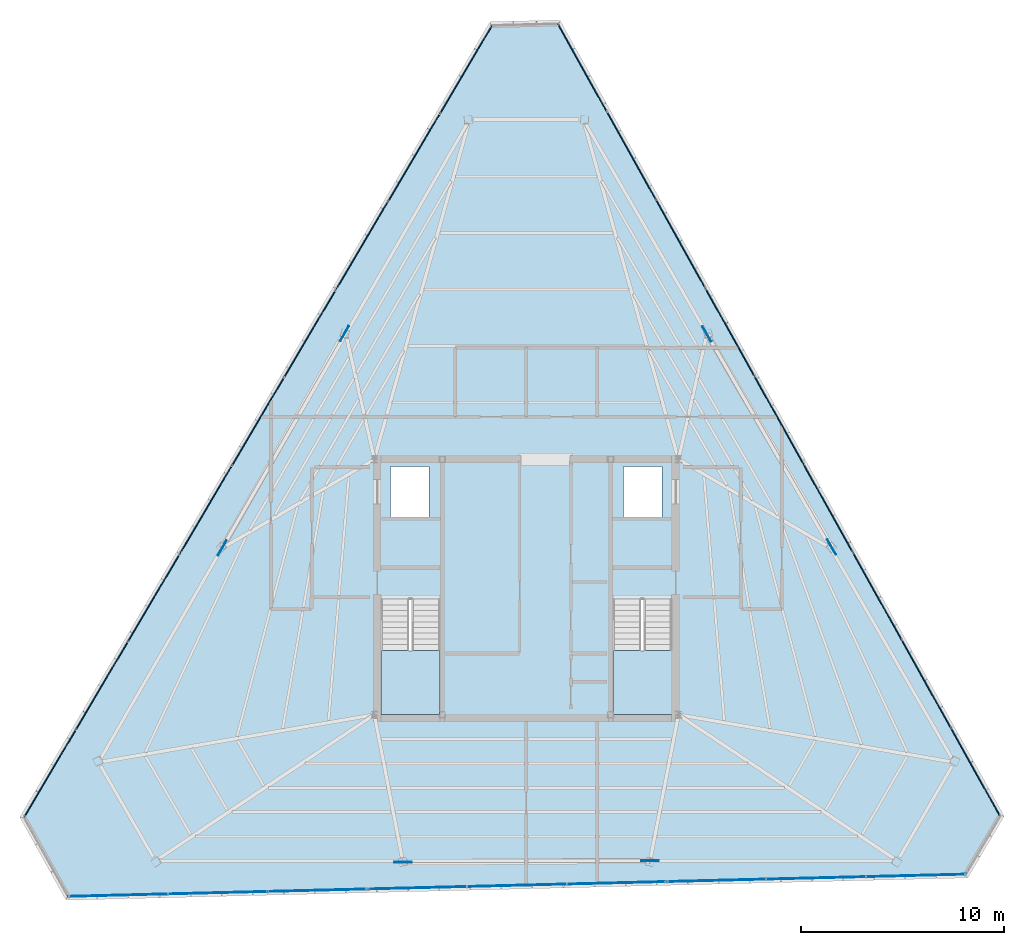
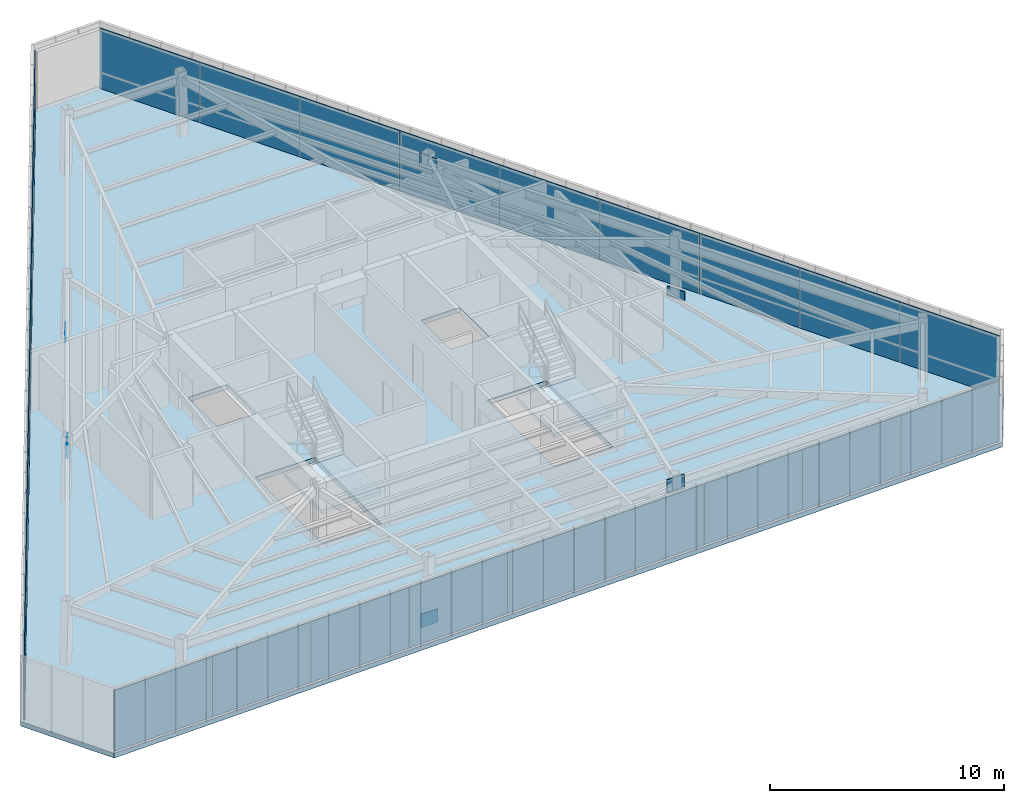
# One storey, part 38 of 44: 33 plates, 3 slabs, 11 elements without a shape of their own.
"""IFC4 building model written with IfcOpenShell, lengths in metres."""

from ifc_helpers import new_model, si_unit, direction, frame, origin, origin_2d, place, context, subcontext, project, spatial, polyline, rectangle, outline, extrude, source, transform, mapped, material, layer, layer_set, type_object, type_shapes, element, aggregate, save


model = new_model("IFC4")

# Units and contexts
model_context = context("Model", 3, precision=1e-05, world=origin(), true_north=direction((0.0, 1.0)))
body_context = subcontext(model_context, "Body", "Model", "MODEL_VIEW")
ifc_project = project(units=[si_unit("LENGTHUNIT", "METRE"), si_unit("AREAUNIT", "SQUARE_METRE"), si_unit("VOLUMEUNIT", "CUBIC_METRE"), si_unit("PLANEANGLEUNIT", "RADIAN"), si_unit("MASSUNIT", "GRAM", prefix="KILO")], contexts=[model_context])

# Site, building, storey
site_placement = place(None, origin())
site = spatial("IfcSite", under=ifc_project, at=site_placement, CompositionType="ELEMENT")
building_placement = place(site_placement, origin())
building = spatial("IfcBuilding", under=site, at=building_placement, Name="Caelisora Broadcast Tower", CompositionType="ELEMENT")
storey_placement = place(building_placement, frame((0.0, 0.0, 296.60009765625)))
storey = spatial("IfcBuildingStorey", under=building, at=storey_placement, Name="L78", CompositionType="ELEMENT", Elevation=296.60009765625)

# Slab
ifc_material_1 = material(Name="Concrete 45 MPa (AS 3600 S45)", Category="concrete")
ifc_layer_1 = layer(ifc_material_1, 0.25, Name="Concrete 45 MPa (AS 3600 S45)")
ifc_layer_set_1 = layer_set([ifc_layer_1], Name="Concrete 45 MPa (AS 3600 S45)")
slab_type_1 = type_object("IfcSlabType", Name="SL05", PredefinedType="FLOOR", material=ifc_layer_set_1)
slab_1_placement = place(storey_placement, frame((0.0, 0.0, -0.25)))
element("IfcSlab", 1, at=slab_1_placement, inside=storey, type_object=slab_type_1, Name="L78 suspended floor SL05", PredefinedType="FLOOR", context=body_context, shape_type="SweptSolid", body=[
    extrude(outline(polyline([(39.635986328125, 51.637939453125), (36.217041015625, 51.552978515625), (13.0419921875, 12.342041015625), (15.306884765625, 8.281982421875), (59.756103515625, 9.381103515625), (61.5390625, 12.39697265625), (39.635986328125, 51.637939453125)]), holes=[polyline([(30.820068359375, 17.39990234375), (33.739990234375, 17.39990234375), (33.739990234375, 23.080078125), (30.820068359375, 23.080078125), (30.820068359375, 17.39990234375)]), polyline([(42.260009765625, 17.39990234375), (45.179931640625, 17.39990234375), (45.179931640625, 23.080078125), (42.260009765625, 23.080078125), (42.260009765625, 17.39990234375)]), polyline([(42.800048828125, 27.14990234375), (44.699951171875, 27.14990234375), (44.699951171875, 29.64990234375), (42.800048828125, 29.64990234375), (42.800048828125, 27.14990234375)]), polyline([(31.300048828125, 27.14990234375), (33.199951171875, 27.14990234375), (33.199951171875, 29.64990234375), (31.300048828125, 29.64990234375), (31.300048828125, 27.14990234375)])]), origin(), (0.0, 0.0, 1.0), 0.25),
])

# Stair, slab
ifc_material_2 = material(Name="Concrete 40 MPa (AS 3600 N40)", Category="concrete")
stair_type_1 = type_object("IfcStairType", Name="ST-1", PredefinedType="HALF_TURN_STAIR", material=ifc_material_2)
stair_1_placement = place(storey_placement, origin())
stair_1 = element("IfcStair", 2, at=stair_1_placement, inside=storey, type_object=stair_type_1, Name="L78 West Fire-Isolated Tower Stair", PredefinedType="HALF_TURN_STAIR")
ifc_layer_2 = layer(ifc_material_2, 0.199951171875, Name="Concrete 40 MPa (AS 3600 N40)")
ifc_layer_set_2 = layer_set([ifc_layer_2], Name="Concrete 40 MPa (AS 3600 N40)")
slab_type_2 = type_object("IfcSlabType", Name="STL-1", PredefinedType="LANDING", material=ifc_layer_set_2)
slab_2_placement = place(storey_placement, frame((0.0, 0.0, 1.5)))
slab_2 = element("IfcSlab", 3, at=slab_2_placement, type_object=slab_type_2, Name="ST-1 landing 1", PredefinedType="LANDING", context=body_context, shape_type="SweptSolid", body=[
    extrude(outline(polyline([(30.820068359375, 20.580078125), (30.820068359375, 17.39990234375), (33.739990234375, 17.39990234375), (33.739990234375, 20.580078125), (30.820068359375, 20.580078125)])), origin(), (0.0, 0.0, 1.0), 0.199951171875),
])
aggregate(stair_1, [slab_2])

stair_type_2 = type_object("IfcStairType", Name="ST-2", PredefinedType="HALF_TURN_STAIR", material=ifc_material_2)
stair_2_placement = place(storey_placement, origin())
stair_2 = element("IfcStair", 4, at=stair_2_placement, inside=storey, type_object=stair_type_2, Name="L78 East Fire-Isolated Tower Stair", PredefinedType="HALF_TURN_STAIR")
slab_3_placement = place(storey_placement, frame((0.0, 0.0, 1.5)))
slab_3 = element("IfcSlab", 5, at=slab_3_placement, type_object=slab_type_2, Name="ST-2 landing 1", PredefinedType="LANDING", context=body_context, shape_type="SweptSolid", body=[
    extrude(outline(polyline([(42.260009765625, 20.580078125), (42.260009765625, 17.39990234375), (45.179931640625, 17.39990234375), (45.179931640625, 20.580078125), (42.260009765625, 20.580078125)])), origin(), (0.0, 0.0, 1.0), 0.199951171875),
])
aggregate(stair_2, [slab_3])

# Plates
ifc_material_3 = material(Name="Steel Grade 350 L15 (AS/NZS 3678)", Category="steel")
ifc_layer_3 = layer(ifc_material_3, 0.0400390625, Name="Steel Grade 350 L15 (AS/NZS 3678)")
ifc_layer_set_3 = layer_set([ifc_layer_3], Name="Steel Grade 350 L15 (AS/NZS 3678)")
plate_type_1 = type_object("IfcPlateType", Name="GP04", PredefinedType="USERDEFINED", material=ifc_layer_set_3)
shared_shape_1 = source(origin(), body_context, "Body", "SweptSolid", [
    extrude(rectangle(XDim=0.85009765625, YDim=0.0400390625, at=origin_2d()), origin(), (0.0, 0.0, 1.0), 0.699951171875),
])
type_shapes(plate_type_1, [shared_shape_1])
for number, where, z_axis, x_axis, name in (
    (6, (29.029296875, 36.205810546875, -0.22998046875), (0.0, 0.0, 1.0), (-0.5, -0.866025403784, 0.0), "L78 gusset plate GP04 (ND-L78-C02B)"),
    (7, (22.994873046875, 25.619140625, 2.47998046875), (0.0, 0.0, 1.0), (-0.5, -0.866025403784, 0.0), "L78 gusset plate GP04 (ND-L78-C03T)"),
    (8, (31.914794921875, 10.128173828125, -0.22998046875), (0.0, 0.0, 1.0), (1.0, 0.0, 0.0), "L78 gusset plate GP04 (ND-L78-C06B)"),
    (9, (44.100341796875, 10.195556640625, 2.47998046875), (0.0, 0.0, 1.0), (1.0, 0.0, 0.0), "L78 gusset plate GP04 (ND-L78-C07T)"),
    (10, (53.055908203125, 25.666015625, -0.22998046875), (0.0, 0.0, 1.0), (-0.5, 0.866025403784, 0.0), "L78 gusset plate GP04 (ND-L78-C10B)"),
    (11, (46.90478515625, 36.185302734375, 2.47998046875), (0.0, 0.0, 1.0), (-0.5, 0.866025403784, 0.0), "L78 gusset plate GP04 (ND-L78-C11T)"),
):
    element("IfcPlate", number, at=place(storey_placement, frame(where, z_axis=z_axis, x_axis=x_axis)), inside=storey, type_object=plate_type_1, Name=name, ObjectType="GUSSET PLATE", PredefinedType="USERDEFINED", context=body_context, shape_type="MappedRepresentation", body=[
        mapped(shared_shape_1, transform((0.0, 0.0, 0.0), scale=1.0)),
    ])

# Curtain wall, plates
ifc_material_4 = material(Name="Unitised Aluminium Insulated Shadow-Box Spandrel Curtain Wall", Category="aluminium")
curtain_wall_type = type_object("IfcCurtainWallType", Name="CW-SP3", PredefinedType="NOTDEFINED", material=ifc_material_4)
curtain_wall_1_placement = place(storey_placement, origin())
curtain_wall_1 = element("IfcCurtainWall", 12, at=curtain_wall_1_placement, inside=storey, type_object=curtain_wall_type, Name="L78 curtain wall CW-SP3", PredefinedType="NOTDEFINED")
ifc_material_5 = material(Name="Insulated Terracotta Shadow-Box Spandrel Panel", Category="aluminium")
ifc_layer_4 = layer(ifc_material_5, 0.0439453125, Name="Insulated Terracotta Shadow-Box Spandrel Panel")
ifc_layer_set_4 = layer_set([ifc_layer_4], Name="Insulated Terracotta Shadow-Box Spandrel Panel")
plate_type_2 = type_object("IfcPlateType", Name="CWP-10", PredefinedType="CURTAIN_PANEL", material=ifc_layer_set_4)
shared_shape_2 = source(origin(), body_context, "Body", "SweptSolid", [
    extrude(rectangle(XDim=4.97216796875, YDim=0.0439453125, at=origin_2d()), origin(), (0.0, 0.0, 1.0), 3.14990234375),
])
plate_1_placement = place(storey_placement, frame((40.760498046875, 49.315185546875, 0.0), z_axis=(0.0, 0.0, 1.0), x_axis=(0.487402531354, -0.87317740032, 0.0)))
plate_1 = element("IfcPlate", 13, at=plate_1_placement, type_object=plate_type_2, Name="L78-CW-B01 spandrel panel #1", PredefinedType="CURTAIN_PANEL", context=body_context, shape_type="MappedRepresentation", body=[
    mapped(shared_shape_2, transform((0.0, 0.0, 0.0), scale=1.0)),
])
plate_2_placement = place(storey_placement, frame((43.183837890625, 44.9736328125, 0.0), z_axis=(0.0, 0.0, 1.0), x_axis=(0.487402531354, -0.87317740032, 0.0)))
plate_2 = element("IfcPlate", 14, at=plate_2_placement, type_object=plate_type_2, Name="L78-CW-B01 spandrel panel #2", PredefinedType="CURTAIN_PANEL", context=body_context, shape_type="MappedRepresentation", body=[
    mapped(shared_shape_2, transform((0.0, 0.0, 0.0), scale=1.0)),
])
plate_3_placement = place(storey_placement, frame((45.607177734375, 40.632080078125, 0.0), z_axis=(0.0, 0.0, 1.0), x_axis=(0.487402531354, -0.87317740032, 0.0)))
plate_3 = element("IfcPlate", 15, at=plate_3_placement, type_object=plate_type_2, Name="L78-CW-B01 spandrel panel #3", PredefinedType="CURTAIN_PANEL", context=body_context, shape_type="MappedRepresentation", body=[
    mapped(shared_shape_2, transform((0.0, 0.0, 0.0), scale=1.0)),
])
aggregate(curtain_wall_1, [plate_1, plate_2, plate_3])

curtain_wall_2_placement = place(storey_placement, origin())
curtain_wall_2 = element("IfcCurtainWall", 16, at=curtain_wall_2_placement, inside=storey, type_object=curtain_wall_type, Name="L78 curtain wall CW-SP3", PredefinedType="NOTDEFINED")
plate_4_placement = place(storey_placement, frame((55.307861328125, 23.2529296875, 0.0), z_axis=(0.0, 0.0, 1.0), x_axis=(0.487402531354, -0.87317740032, 0.0)))
plate_4 = element("IfcPlate", 17, at=plate_4_placement, type_object=plate_type_2, Name="L78-CW-B03 spandrel panel #1", PredefinedType="CURTAIN_PANEL", context=body_context, shape_type="MappedRepresentation", body=[
    mapped(shared_shape_2, transform((0.0, 0.0, 0.0), scale=1.0)),
])
plate_5_placement = place(storey_placement, frame((57.731201171875, 18.911376953125, 0.0), z_axis=(0.0, 0.0, 1.0), x_axis=(0.487402531354, -0.87317740032, 0.0)))
plate_5 = element("IfcPlate", 18, at=plate_5_placement, type_object=plate_type_2, Name="L78-CW-B03 spandrel panel #2", PredefinedType="CURTAIN_PANEL", context=body_context, shape_type="MappedRepresentation", body=[
    mapped(shared_shape_2, transform((0.0, 0.0, 0.0), scale=1.0)),
])
plate_6_placement = place(storey_placement, frame((60.154296875, 14.56982421875, 0.0), z_axis=(0.0, 0.0, 1.0), x_axis=(0.487402531354, -0.87317740032, 0.0)))
plate_6 = element("IfcPlate", 19, at=plate_6_placement, type_object=plate_type_2, Name="L78-CW-B03 spandrel panel #3", PredefinedType="CURTAIN_PANEL", context=body_context, shape_type="MappedRepresentation", body=[
    mapped(shared_shape_2, transform((0.0, 0.0, 0.0), scale=1.0)),
])
aggregate(curtain_wall_2, [plate_4, plate_5, plate_6])

curtain_wall_3_placement = place(storey_placement, origin())
curtain_wall_3 = element("IfcCurtainWall", 20, at=curtain_wall_3_placement, inside=storey, type_object=curtain_wall_type, Name="L78 curtain wall CW-SP3", PredefinedType="NOTDEFINED")
shared_shape_3 = source(origin(), body_context, "Body", "SweptSolid", [
    extrude(rectangle(XDim=4.970458984375, YDim=0.0439453125, at=origin_2d()), origin(), (0.0, 0.0, 1.0), 3.14990234375),
])
plate_7_placement = place(storey_placement, frame((48.034912109375, 36.28271484375, 0.0), z_axis=(0.0, 0.0, 1.0), x_axis=(0.487402531354, -0.87317740032, 0.0)))
plate_7 = element("IfcPlate", 21, at=plate_7_placement, type_object=plate_type_2, Name="L78-CW-B02 spandrel panel #1", PredefinedType="CURTAIN_PANEL", context=body_context, shape_type="MappedRepresentation", body=[
    mapped(shared_shape_3, transform((0.0, 0.0, 0.0), scale=1.0)),
])
plate_8_placement = place(storey_placement, frame((50.45751953125, 31.9423828125, 0.0), z_axis=(0.0, 0.0, 1.0), x_axis=(0.487402531354, -0.87317740032, 0.0)))
plate_8 = element("IfcPlate", 22, at=plate_8_placement, type_object=plate_type_2, Name="L78-CW-B02 spandrel panel #2", PredefinedType="CURTAIN_PANEL", context=body_context, shape_type="MappedRepresentation", body=[
    mapped(shared_shape_3, transform((0.0, 0.0, 0.0), scale=1.0)),
])
plate_9_placement = place(storey_placement, frame((52.8798828125, 27.602294921875, 0.0), z_axis=(0.0, 0.0, 1.0), x_axis=(0.487402531354, -0.87317740032, 0.0)))
plate_9 = element("IfcPlate", 23, at=plate_9_placement, type_object=plate_type_2, Name="L78-CW-B02 spandrel panel #3", PredefinedType="CURTAIN_PANEL", context=body_context, shape_type="MappedRepresentation", body=[
    mapped(shared_shape_3, transform((0.0, 0.0, 0.0), scale=1.0)),
])
aggregate(curtain_wall_3, [plate_7, plate_8, plate_9])

curtain_wall_4_placement = place(storey_placement, origin())
curtain_wall_4 = element("IfcCurtainWall", 24, at=curtain_wall_4_placement, inside=storey, type_object=curtain_wall_type, Name="L78 curtain wall CW-SP3", PredefinedType="NOTDEFINED")
shared_shape_4 = source(origin(), body_context, "Body", "SweptSolid", [
    extrude(rectangle(XDim=4.919189453125, YDim=0.0439453125, at=origin_2d()), origin(), (0.0, 0.0, 1.0), 3.14990234375),
])
plate_10_placement = place(storey_placement, frame((57.210205078125, 9.46826171875, 0.0), z_axis=(0.0, 0.0, 1.0), x_axis=(-0.999692900437, -0.024781138308, 0.0)))
plate_10 = element("IfcPlate", 25, at=plate_10_placement, type_object=plate_type_2, Name="L78-CW-B05 spandrel panel #1", PredefinedType="CURTAIN_PANEL", context=body_context, shape_type="MappedRepresentation", body=[
    mapped(shared_shape_4, transform((0.0, 0.0, 0.0), scale=1.0)),
])
plate_11_placement = place(storey_placement, frame((52.292236328125, 9.3466796875, 0.0), z_axis=(0.0, 0.0, 1.0), x_axis=(-0.999692900437, -0.024781138308, 0.0)))
plate_11 = element("IfcPlate", 26, at=plate_11_placement, type_object=plate_type_2, Name="L78-CW-B05 spandrel panel #2", PredefinedType="CURTAIN_PANEL", context=body_context, shape_type="MappedRepresentation", body=[
    mapped(shared_shape_4, transform((0.0, 0.0, 0.0), scale=1.0)),
])
plate_12_placement = place(storey_placement, frame((47.37451171875, 9.224853515625, 0.0), z_axis=(0.0, 0.0, 1.0), x_axis=(-0.999692900437, -0.024781138308, 0.0)))
plate_12 = element("IfcPlate", 27, at=plate_12_placement, type_object=plate_type_2, Name="L78-CW-B05 spandrel panel #3", PredefinedType="CURTAIN_PANEL", context=body_context, shape_type="MappedRepresentation", body=[
    mapped(shared_shape_4, transform((0.0, 0.0, 0.0), scale=1.0)),
])
aggregate(curtain_wall_4, [plate_10, plate_11, plate_12])

curtain_wall_5_placement = place(storey_placement, origin())
curtain_wall_5 = element("IfcCurtainWall", 28, at=curtain_wall_5_placement, inside=storey, type_object=curtain_wall_type, Name="L78 curtain wall CW-SP3", PredefinedType="NOTDEFINED")
plate_13_placement = place(storey_placement, frame((27.6884765625, 8.738037109375, 0.0), z_axis=(0.0, 0.0, 1.0), x_axis=(-0.999692900437, -0.024781138308, 0.0)))
plate_13 = element("IfcPlate", 29, at=plate_13_placement, type_object=plate_type_2, Name="L78-CW-B07 spandrel panel #1", PredefinedType="CURTAIN_PANEL", context=body_context, shape_type="MappedRepresentation", body=[
    mapped(shared_shape_4, transform((0.0, 0.0, 0.0), scale=1.0)),
])
plate_14_placement = place(storey_placement, frame((22.770751953125, 8.616455078125, 0.0), z_axis=(0.0, 0.0, 1.0), x_axis=(-0.999692900437, -0.024781138308, 0.0)))
plate_14 = element("IfcPlate", 30, at=plate_14_placement, type_object=plate_type_2, Name="L78-CW-B07 spandrel panel #2", PredefinedType="CURTAIN_PANEL", context=body_context, shape_type="MappedRepresentation", body=[
    mapped(shared_shape_4, transform((0.0, 0.0, 0.0), scale=1.0)),
])
plate_15_placement = place(storey_placement, frame((17.852783203125, 8.494873046875, 0.0), z_axis=(0.0, 0.0, 1.0), x_axis=(-0.999692900437, -0.024781138308, 0.0)))
plate_15 = element("IfcPlate", 31, at=plate_15_placement, type_object=plate_type_2, Name="L78-CW-B07 spandrel panel #3", PredefinedType="CURTAIN_PANEL", context=body_context, shape_type="MappedRepresentation", body=[
    mapped(shared_shape_4, transform((0.0, 0.0, 0.0), scale=1.0)),
])
aggregate(curtain_wall_5, [plate_13, plate_14, plate_15])

curtain_wall_6_placement = place(storey_placement, origin())
curtain_wall_6 = element("IfcCurtainWall", 32, at=curtain_wall_6_placement, inside=storey, type_object=curtain_wall_type, Name="L78 curtain wall CW-SP3", PredefinedType="NOTDEFINED")
shared_shape_5 = source(origin(), body_context, "Body", "SweptSolid", [
    extrude(rectangle(XDim=4.91748046875, YDim=0.0439453125, at=origin_2d()), origin(), (0.0, 0.0, 1.0), 3.14990234375),
])
plate_16_placement = place(storey_placement, frame((42.447509765625, 9.10302734375, 0.0), z_axis=(0.0, 0.0, 1.0), x_axis=(-0.999692900437, -0.024781138308, 0.0)))
plate_16 = element("IfcPlate", 33, at=plate_16_placement, type_object=plate_type_2, Name="L78-CW-B06 spandrel panel #1", PredefinedType="CURTAIN_PANEL", context=body_context, shape_type="MappedRepresentation", body=[
    mapped(shared_shape_5, transform((0.0, 0.0, 0.0), scale=1.0)),
])
plate_17_placement = place(storey_placement, frame((37.531494140625, 8.9814453125, 0.0), z_axis=(0.0, 0.0, 1.0), x_axis=(-0.999692900437, -0.024781138308, 0.0)))
plate_17 = element("IfcPlate", 34, at=plate_17_placement, type_object=plate_type_2, Name="L78-CW-B06 spandrel panel #2", PredefinedType="CURTAIN_PANEL", context=body_context, shape_type="MappedRepresentation", body=[
    mapped(shared_shape_5, transform((0.0, 0.0, 0.0), scale=1.0)),
])
plate_18_placement = place(storey_placement, frame((32.615478515625, 8.85986328125, 0.0), z_axis=(0.0, 0.0, 1.0), x_axis=(-0.999692900437, -0.024781138308, 0.0)))
plate_18 = element("IfcPlate", 35, at=plate_18_placement, type_object=plate_type_2, Name="L78-CW-B06 spandrel panel #3", PredefinedType="CURTAIN_PANEL", context=body_context, shape_type="MappedRepresentation", body=[
    mapped(shared_shape_5, transform((0.0, 0.0, 0.0), scale=1.0)),
])
aggregate(curtain_wall_6, [plate_16, plate_17, plate_18])

curtain_wall_7_placement = place(storey_placement, origin())
curtain_wall_7 = element("IfcCurtainWall", 36, at=curtain_wall_7_placement, inside=storey, type_object=curtain_wall_type, Name="L78 curtain wall CW-SP3", PredefinedType="NOTDEFINED")
shared_shape_6 = source(origin(), body_context, "Body", "SweptSolid", [
    extrude(rectangle(XDim=5.040283203125, YDim=0.0439453125, at=origin_2d()), origin(), (0.0, 0.0, 1.0), 3.14990234375),
])
plate_19_placement = place(storey_placement, frame((14.497314453125, 14.509521484375, 0.0), z_axis=(0.0, 0.0, 1.0), x_axis=(0.508740929096, 0.860919663536, 0.0)))
plate_19 = element("IfcPlate", 37, at=plate_19_placement, type_object=plate_type_2, Name="L78-CW-B09 spandrel panel #1", PredefinedType="CURTAIN_PANEL", context=body_context, shape_type="MappedRepresentation", body=[
    mapped(shared_shape_6, transform((0.0, 0.0, 0.0), scale=1.0)),
])
plate_20_placement = place(storey_placement, frame((17.06201171875, 18.8486328125, 0.0), z_axis=(0.0, 0.0, 1.0), x_axis=(0.508740929096, 0.860919663536, 0.0)))
plate_20 = element("IfcPlate", 38, at=plate_20_placement, type_object=plate_type_2, Name="L78-CW-B09 spandrel panel #2", PredefinedType="CURTAIN_PANEL", context=body_context, shape_type="MappedRepresentation", body=[
    mapped(shared_shape_6, transform((0.0, 0.0, 0.0), scale=1.0)),
])
plate_21_placement = place(storey_placement, frame((19.62646484375, 23.187744140625, 0.0), z_axis=(0.0, 0.0, 1.0), x_axis=(0.508740929096, 0.860919663536, 0.0)))
plate_21 = element("IfcPlate", 39, at=plate_21_placement, type_object=plate_type_2, Name="L78-CW-B09 spandrel panel #3", PredefinedType="CURTAIN_PANEL", context=body_context, shape_type="MappedRepresentation", body=[
    mapped(shared_shape_6, transform((0.0, 0.0, 0.0), scale=1.0)),
])
aggregate(curtain_wall_7, [plate_19, plate_20, plate_21])

curtain_wall_8_placement = place(storey_placement, origin())
curtain_wall_8 = element("IfcCurtainWall", 40, at=curtain_wall_8_placement, inside=storey, type_object=curtain_wall_type, Name="L78 curtain wall CW-SP3", PredefinedType="NOTDEFINED")
plate_22_placement = place(storey_placement, frame((29.892578125, 40.55712890625, 0.0), z_axis=(0.0, 0.0, 1.0), x_axis=(0.508740929096, 0.860919663536, 0.0)))
plate_22 = element("IfcPlate", 41, at=plate_22_placement, type_object=plate_type_2, Name="L78-CW-B11 spandrel panel #1", PredefinedType="CURTAIN_PANEL", context=body_context, shape_type="MappedRepresentation", body=[
    mapped(shared_shape_6, transform((0.0, 0.0, 0.0), scale=1.0)),
])
plate_23_placement = place(storey_placement, frame((32.45703125, 44.896240234375, 0.0), z_axis=(0.0, 0.0, 1.0), x_axis=(0.508740929096, 0.860919663536, 0.0)))
plate_23 = element("IfcPlate", 42, at=plate_23_placement, type_object=plate_type_2, Name="L78-CW-B11 spandrel panel #2", PredefinedType="CURTAIN_PANEL", context=body_context, shape_type="MappedRepresentation", body=[
    mapped(shared_shape_6, transform((0.0, 0.0, 0.0), scale=1.0)),
])
plate_24_placement = place(storey_placement, frame((35.021728515625, 49.2353515625, 0.0), z_axis=(0.0, 0.0, 1.0), x_axis=(0.508740929096, 0.860919663536, 0.0)))
plate_24 = element("IfcPlate", 43, at=plate_24_placement, type_object=plate_type_2, Name="L78-CW-B11 spandrel panel #3", PredefinedType="CURTAIN_PANEL", context=body_context, shape_type="MappedRepresentation", body=[
    mapped(shared_shape_6, transform((0.0, 0.0, 0.0), scale=1.0)),
])
aggregate(curtain_wall_8, [plate_22, plate_23, plate_24])

curtain_wall_9_placement = place(storey_placement, origin())
curtain_wall_9 = element("IfcCurtainWall", 44, at=curtain_wall_9_placement, inside=storey, type_object=curtain_wall_type, Name="L78 curtain wall CW-SP3", PredefinedType="NOTDEFINED")
shared_shape_7 = source(origin(), body_context, "Body", "SweptSolid", [
    extrude(rectangle(XDim=5.038818359375, YDim=0.0439453125, at=origin_2d()), origin(), (0.0, 0.0, 1.0), 3.14990234375),
])
type_shapes(plate_type_2, [shared_shape_2, shared_shape_3, shared_shape_4, shared_shape_5, shared_shape_6, shared_shape_7])
plate_25_placement = place(storey_placement, frame((22.19580078125, 27.534912109375, 0.0), z_axis=(0.0, 0.0, 1.0), x_axis=(0.508740929096, 0.860919663536, 0.0)))
plate_25 = element("IfcPlate", 45, at=plate_25_placement, type_object=plate_type_2, Name="L78-CW-B10 spandrel panel #1", PredefinedType="CURTAIN_PANEL", context=body_context, shape_type="MappedRepresentation", body=[
    mapped(shared_shape_7, transform((0.0, 0.0, 0.0), scale=1.0)),
])
plate_26_placement = place(storey_placement, frame((24.759521484375, 31.87255859375, 0.0), z_axis=(0.0, 0.0, 1.0), x_axis=(0.508740929096, 0.860919663536, 0.0)))
plate_26 = element("IfcPlate", 46, at=plate_26_placement, type_object=plate_type_2, Name="L78-CW-B10 spandrel panel #2", PredefinedType="CURTAIN_PANEL", context=body_context, shape_type="MappedRepresentation", body=[
    mapped(shared_shape_7, transform((0.0, 0.0, 0.0), scale=1.0)),
])
plate_27_placement = place(storey_placement, frame((27.3232421875, 36.210205078125, 0.0), z_axis=(0.0, 0.0, 1.0), x_axis=(0.508740929096, 0.860919663536, 0.0)))
plate_27 = element("IfcPlate", 47, at=plate_27_placement, type_object=plate_type_2, Name="L78-CW-B10 spandrel panel #3", PredefinedType="CURTAIN_PANEL", context=body_context, shape_type="MappedRepresentation", body=[
    mapped(shared_shape_7, transform((0.0, 0.0, 0.0), scale=1.0)),
])
aggregate(curtain_wall_9, [plate_25, plate_26, plate_27])

save(model, "model.ifc")
